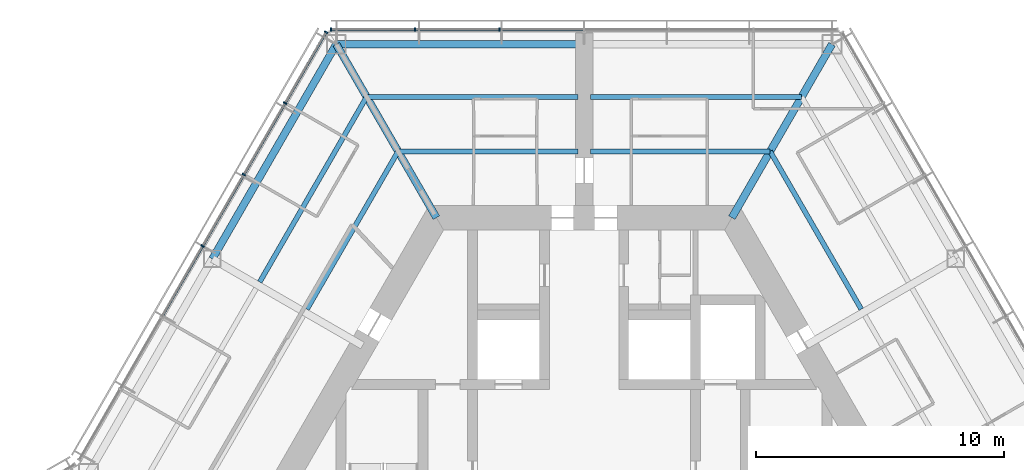
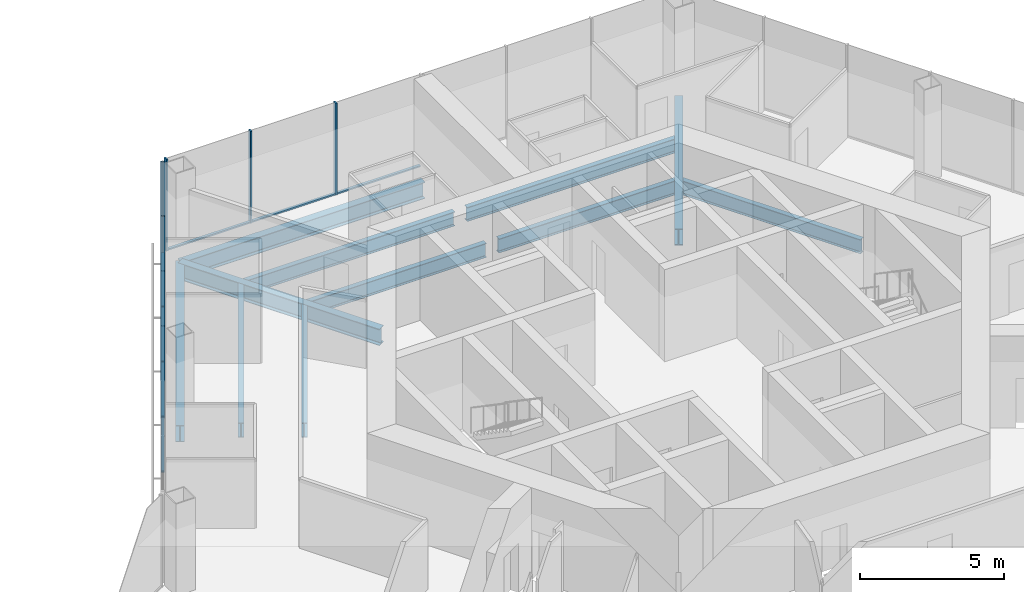
# One storey, part 7 of 18: 14 members, 11 beams, 2 elements without a shape of their own.
"""IFC4 building model written with IfcOpenShell, lengths in metres."""

from ifc_helpers import new_model, si_unit, direction, frame, origin, origin_2d, place, context, subcontext, project, spatial, rectangle, i_section, extrude, material, material_profile, profile_set, type_object, element, aggregate, save


model = new_model("IFC4")

# Units and contexts
model_context = context("Model", 3, precision=1e-05, world=origin(), true_north=direction((0.0, 1.0)))
body_context = subcontext(model_context, "Body", "Model", "MODEL_VIEW")
ifc_project = project(units=[si_unit("LENGTHUNIT", "METRE"), si_unit("AREAUNIT", "SQUARE_METRE"), si_unit("VOLUMEUNIT", "CUBIC_METRE"), si_unit("PLANEANGLEUNIT", "RADIAN"), si_unit("MASSUNIT", "GRAM", prefix="KILO")], contexts=[model_context])

# Site, building, storey
site_placement = place(None, origin())
site = spatial("IfcSite", under=ifc_project, at=site_placement, CompositionType="ELEMENT")
building_placement = place(site_placement, origin())
building = spatial("IfcBuilding", under=site, at=building_placement, Name="Kasaneha Research Tower", CompositionType="ELEMENT")
storey_placement = place(building_placement, frame((0.0, 0.0, 152.60009765625)))
storey = spatial("IfcBuildingStorey", under=building, at=storey_placement, Name="L38", CompositionType="ELEMENT", Elevation=152.60009765625)

# Beams
ifc_material_1 = material(Name="Steel SN490B", Category="steel")
ifc_material_profile_1 = material_profile(ifc_material_1, i_section(OverallWidth=0.199951171875, OverallDepth=0.60009765625, WebThickness=0.010986328125, FlangeThickness=0.01708984375, FilletRadius=0.012939453125, at=origin_2d()), Name="H-600x200x11x17")
ifc_profile_set_1 = profile_set([ifc_material_profile_1], Name="Steel SN490B")
beam_type_1 = type_object("IfcBeamType", Name="B1-3 secondary beam H-600x200x11x17", PredefinedType="JOIST", material=ifc_profile_set_1)
beam_1_placement = place(storey_placement, frame((7.505615234375, 13.0, -0.4501953125), z_axis=(0.499994443168, -0.866028611999, 0.0), x_axis=(0.866028611999, 0.499994443168, 0.0)))
element("IfcBeam", 1, at=beam_1_placement, inside=storey, type_object=beam_type_1, Name="Secondary beam RS030R1 L38", PredefinedType="JOIST", context=body_context, shape_type="SweptSolid", body=[
    extrude(i_section(OverallWidth=0.199951171875, OverallDepth=0.60009765625, WebThickness=0.010986328125, FlangeThickness=0.01708984375, FilletRadius=0.012939453125, at=origin_2d()), origin(), (0.0, 0.0, 1.0), 7.35546875),
])
beam_2_placement = place(storey_placement, frame((7.505615234375, 13.0, -0.4501953125), z_axis=(-1.0, 0.0, 0.0), x_axis=(0.0, -1.0, 0.0)))
element("IfcBeam", 2, at=beam_2_placement, inside=storey, type_object=beam_type_1, Name="Secondary beam RS090L1 L38", PredefinedType="JOIST", context=body_context, shape_type="SweptSolid", body=[
    extrude(i_section(OverallWidth=0.199951171875, OverallDepth=0.60009765625, WebThickness=0.010986328125, FlangeThickness=0.01708984375, FilletRadius=0.012939453125, at=origin_2d()), origin(), (0.0, 0.0, 1.0), 7.255615234375),
])
beam_3_placement = place(storey_placement, frame((8.775634765625, 15.199951171875, -0.4501953125), z_axis=(-1.0, 0.0, 0.0), x_axis=(0.0, -1.0, 0.0)))
element("IfcBeam", 3, at=beam_3_placement, inside=storey, type_object=beam_type_1, Name="Secondary beam RS090L2 L38", PredefinedType="JOIST", context=body_context, shape_type="SweptSolid", body=[
    extrude(i_section(OverallWidth=0.199951171875, OverallDepth=0.60009765625, WebThickness=0.010986328125, FlangeThickness=0.01708984375, FilletRadius=0.012939453125, at=origin_2d()), origin(), (0.0, 0.0, 1.0), 8.525634765625),
])
beam_4_placement = place(storey_placement, frame((-7.505615234375, 13.0, -0.4501953125), z_axis=(1.0, 0.0, 0.0), x_axis=(0.0, 1.0, 0.0)))
element("IfcBeam", 4, at=beam_4_placement, inside=storey, type_object=beam_type_1, Name="Secondary beam RS090R1 L38", PredefinedType="JOIST", context=body_context, shape_type="SweptSolid", body=[
    extrude(i_section(OverallWidth=0.199951171875, OverallDepth=0.60009765625, WebThickness=0.010986328125, FlangeThickness=0.01708984375, FilletRadius=0.012939453125, at=origin_2d()), origin(), (0.0, 0.0, 1.0), 7.255615234375),
])
beam_5_placement = place(storey_placement, frame((-8.775634765625, 15.199951171875, -0.4501953125), z_axis=(1.0, 0.0, 0.0), x_axis=(0.0, 1.0, 0.0)))
element("IfcBeam", 5, at=beam_5_placement, inside=storey, type_object=beam_type_1, Name="Secondary beam RS090R2 L38", PredefinedType="JOIST", context=body_context, shape_type="SweptSolid", body=[
    extrude(i_section(OverallWidth=0.199951171875, OverallDepth=0.60009765625, WebThickness=0.010986328125, FlangeThickness=0.01708984375, FilletRadius=0.012939453125, at=origin_2d()), origin(), (0.0, 0.0, 1.0), 8.525634765625),
])
beam_6_placement = place(storey_placement, frame((-7.505615234375, 13.0, -0.4501953125), z_axis=(-0.499994443168, -0.866028611999, 0.0), x_axis=(0.866028611999, -0.499994443168, 0.0)))
element("IfcBeam", 6, at=beam_6_placement, inside=storey, type_object=beam_type_1, Name="Secondary beam RS150L1 L38", PredefinedType="JOIST", context=body_context, shape_type="SweptSolid", body=[
    extrude(i_section(OverallWidth=0.199951171875, OverallDepth=0.60009765625, WebThickness=0.010986328125, FlangeThickness=0.01708984375, FilletRadius=0.012939453125, at=origin_2d()), origin(), (0.0, 0.0, 1.0), 7.35546875),
])
beam_7_placement = place(storey_placement, frame((-8.775634765625, 15.199951171875, -0.4501953125), z_axis=(-0.500017275495, -0.866015429543, 0.0), x_axis=(0.866015429543, -0.500017275495, 0.0)))
element("IfcBeam", 7, at=beam_7_placement, inside=storey, type_object=beam_type_1, Name="Secondary beam RS150L2 L38", PredefinedType="JOIST", context=body_context, shape_type="SweptSolid", body=[
    extrude(i_section(OverallWidth=0.199951171875, OverallDepth=0.60009765625, WebThickness=0.010986328125, FlangeThickness=0.01708984375, FilletRadius=0.012939453125, at=origin_2d()), origin(), (0.0, 0.0, 1.0), 8.625732421875),
])

# Curtain wall, members
ifc_material_2 = material(Name="Glass and aluminium", Category="aluminium")
curtain_wall_type = type_object("IfcCurtainWallType", Name="Mid-rise office curtain wall", PredefinedType="USERDEFINED", material=ifc_material_2)
curtain_wall_1_placement = place(storey_placement, origin())
curtain_wall_1 = element("IfcCurtainWall", 8, at=curtain_wall_1_placement, inside=storey, type_object=curtain_wall_type, Name="CW-O2 L38 run 07a", ObjectType="UNITISED CURTAIN WALL", PredefinedType="USERDEFINED")
ifc_material_3 = material(Name="Aluminium 6063-T6", Category="aluminium")
ifc_material_profile_2 = material_profile(ifc_material_3, rectangle(XDim=0.06005859375, YDim=0.14990234375, at=origin_2d()), Name="CW-O2 mullion 60x150")
ifc_profile_set_2 = profile_set([ifc_material_profile_2], Name="Aluminium 6063-T6")
member_type_1 = type_object("IfcMemberType", Name="CW-O2 mullion", PredefinedType="MULLION", material=ifc_profile_set_2)
member_1_placement = place(storey_placement, frame((-3.41552734375, 17.92041015625, 0.0), z_axis=(0.0, 0.0, 1.0), x_axis=(-1.0, 0.0, 0.0)))
member_1 = element("IfcMember", 9, at=member_1_placement, type_object=member_type_1, Name="CW-O2 mullion 5", PredefinedType="MULLION", context=body_context, shape_type="SweptSolid", body=[
    extrude(rectangle(XDim=0.06005859375, YDim=0.14990234375, at=origin_2d()), origin(), (0.0, 0.0, 1.0), 3.89990234375),
])
member_2_placement = place(storey_placement, frame((-6.8310546875, 17.92041015625, 0.0), z_axis=(0.0, 0.0, 1.0), x_axis=(-1.0, 0.0, 0.0)))
member_2 = element("IfcMember", 10, at=member_2_placement, type_object=member_type_1, Name="CW-O2 mullion 6", PredefinedType="MULLION", context=body_context, shape_type="SweptSolid", body=[
    extrude(rectangle(XDim=0.06005859375, YDim=0.14990234375, at=origin_2d()), origin(), (0.0, 0.0, 1.0), 3.89990234375),
])
member_3_placement = place(storey_placement, frame((-10.21630859375, 17.92041015625, 0.0), z_axis=(0.0, 0.0, 1.0), x_axis=(-1.0, 0.0, 0.0)))
member_3 = element("IfcMember", 11, at=member_3_placement, type_object=member_type_1, Name="CW-O2 mullion 7", PredefinedType="MULLION", context=body_context, shape_type="SweptSolid", body=[
    extrude(rectangle(XDim=0.06005859375, YDim=0.14990234375, at=origin_2d()), origin(), (0.0, 0.0, 1.0), 3.89990234375),
])

curtain_wall_2_placement = place(storey_placement, origin())
curtain_wall_2 = element("IfcCurtainWall", 12, at=curtain_wall_2_placement, inside=storey, type_object=curtain_wall_type, Name="CW-O2 L38 run 08a", ObjectType="UNITISED CURTAIN WALL", PredefinedType="USERDEFINED")
member_4_placement = place(storey_placement, frame((-10.411376953125, 17.807861328125, 0.0), z_axis=(0.0, 0.0, 1.0), x_axis=(-0.499999979232, -0.866025415775, 0.0)))
member_4 = element("IfcMember", 13, at=member_4_placement, type_object=member_type_1, Name="CW-O2 mullion 1", PredefinedType="MULLION", context=body_context, shape_type="SweptSolid", body=[
    extrude(rectangle(XDim=0.06005859375, YDim=0.14990234375, at=origin_2d()), origin(), (0.0, 0.0, 1.0), 3.89990234375),
])
member_5_placement = place(storey_placement, frame((-12.061767578125, 14.94921875, 0.0), z_axis=(0.0, 0.0, 1.0), x_axis=(-0.499999979232, -0.866025415775, 0.0)))
member_5 = element("IfcMember", 14, at=member_5_placement, type_object=member_type_1, Name="CW-O2 mullion 2", PredefinedType="MULLION", context=body_context, shape_type="SweptSolid", body=[
    extrude(rectangle(XDim=0.06005859375, YDim=0.14990234375, at=origin_2d()), origin(), (0.0, 0.0, 1.0), 3.89990234375),
])
member_6_placement = place(storey_placement, frame((-13.727294921875, 12.064453125, 0.0), z_axis=(0.0, 0.0, 1.0), x_axis=(-0.499999979232, -0.866025415775, 0.0)))
member_6 = element("IfcMember", 15, at=member_6_placement, type_object=member_type_1, Name="CW-O2 mullion 3", PredefinedType="MULLION", context=body_context, shape_type="SweptSolid", body=[
    extrude(rectangle(XDim=0.06005859375, YDim=0.14990234375, at=origin_2d()), origin(), (0.0, 0.0, 1.0), 3.89990234375),
])
member_7_placement = place(storey_placement, frame((-15.392822265625, 9.179931640625, 0.0), z_axis=(0.0, 0.0, 1.0), x_axis=(-0.499999979232, -0.866025415775, 0.0)))
member_7 = element("IfcMember", 16, at=member_7_placement, type_object=member_type_1, Name="CW-O2 mullion 4", PredefinedType="MULLION", context=body_context, shape_type="SweptSolid", body=[
    extrude(rectangle(XDim=0.06005859375, YDim=0.14990234375, at=origin_2d()), origin(), (0.0, 0.0, 1.0), 3.89990234375),
])

# Member
ifc_material_4 = material(Name="Aluminium 6063-T6", Category="aluminium")
ifc_material_profile_3 = material_profile(ifc_material_4, rectangle(XDim=0.110107421875, YDim=0.06005859375, at=origin_2d()), Name="CW-O2 transom 110x60")
ifc_profile_set_3 = profile_set([ifc_material_profile_3], Name="Aluminium 6063-T6")
member_type_2 = type_object("IfcMemberType", Name="CW-O2 transom", PredefinedType="USERDEFINED", material=ifc_profile_set_3)
member_8_placement = place(storey_placement, frame((-0.030029296875, 17.92041015625, 0.02978515625), z_axis=(-1.0, 0.0, 0.0), x_axis=(0.0, -1.0, 0.0)))
member_8 = element("IfcMember", 17, at=member_8_placement, type_object=member_type_2, Name="CW-O2 transom 4", ObjectType="TRANSOM", PredefinedType="USERDEFINED", context=body_context, shape_type="SweptSolid", body=[
    extrude(rectangle(XDim=0.110107421875, YDim=0.06005859375, at=origin_2d()), origin(), (0.0, 0.0, 1.0), 3.35546875),
])

member_9_placement = place(storey_placement, frame((-3.445556640625, 17.92041015625, 0.02978515625), z_axis=(-1.0, 0.0, 0.0), x_axis=(0.0, -1.0, 0.0)))
member_9 = element("IfcMember", 18, at=member_9_placement, type_object=member_type_2, Name="CW-O2 transom 5", ObjectType="TRANSOM", PredefinedType="USERDEFINED", context=body_context, shape_type="SweptSolid", body=[
    extrude(rectangle(XDim=0.110107421875, YDim=0.06005859375, at=origin_2d()), origin(), (0.0, 0.0, 1.0), 3.35546875),
])

member_10_placement = place(storey_placement, frame((-6.86083984375, 17.92041015625, 0.02978515625), z_axis=(-1.0, 0.0, 0.0), x_axis=(0.0, -1.0, 0.0)))
member_10 = element("IfcMember", 19, at=member_10_placement, type_object=member_type_2, Name="CW-O2 transom 6", ObjectType="TRANSOM", PredefinedType="USERDEFINED", context=body_context, shape_type="SweptSolid", body=[
    extrude(rectangle(XDim=0.110107421875, YDim=0.06005859375, at=origin_2d()), origin(), (0.0, 0.0, 1.0), 3.32568359375),
])

aggregate(curtain_wall_1, [member_1, member_2, member_3, member_8, member_9, member_10])

member_11_placement = place(storey_placement, frame((-10.426513671875, 17.781982421875, 0.02978515625), z_axis=(-0.499955025697, -0.866051368154, 0.0), x_axis=(0.866051368154, -0.499955025697, 0.0)))
member_11 = element("IfcMember", 20, at=member_11_placement, type_object=member_type_2, Name="CW-O2 transom 1", ObjectType="TRANSOM", PredefinedType="USERDEFINED", context=body_context, shape_type="SweptSolid", body=[
    extrude(rectangle(XDim=0.110107421875, YDim=0.06005859375, at=origin_2d()), origin(), (0.0, 0.0, 1.0), 3.240966796875),
])

member_12_placement = place(storey_placement, frame((-12.076904296875, 14.92333984375, 0.02978515625), z_axis=(-0.500000270186, -0.866025247793, 0.0), x_axis=(0.866025247793, -0.500000270186, 0.0)))
member_12 = element("IfcMember", 21, at=member_12_placement, type_object=member_type_2, Name="CW-O2 transom 2", ObjectType="TRANSOM", PredefinedType="USERDEFINED", context=body_context, shape_type="SweptSolid", body=[
    extrude(rectangle(XDim=0.110107421875, YDim=0.06005859375, at=origin_2d()), origin(), (0.0, 0.0, 1.0), 3.27099609375),
])

member_13_placement = place(storey_placement, frame((-13.742431640625, 12.03857421875, 0.02978515625), z_axis=(-0.500000270186, -0.866025247793, 0.0), x_axis=(0.866025247793, -0.500000270186, 0.0)))
member_13 = element("IfcMember", 22, at=member_13_placement, type_object=member_type_2, Name="CW-O2 transom 3", ObjectType="TRANSOM", PredefinedType="USERDEFINED", context=body_context, shape_type="SweptSolid", body=[
    extrude(rectangle(XDim=0.110107421875, YDim=0.06005859375, at=origin_2d()), origin(), (0.0, 0.0, 1.0), 3.27099609375),
])

member_14_placement = place(storey_placement, frame((-15.40771484375, 9.15380859375, 0.02978515625), z_axis=(-0.50003259116, -0.866006586452, 0.0), x_axis=(0.866006586452, -0.50003259116, 0.0)))
member_14 = element("IfcMember", 23, at=member_14_placement, type_object=member_type_2, Name="CW-O2 transom 4", ObjectType="TRANSOM", PredefinedType="USERDEFINED", context=body_context, shape_type="SweptSolid", body=[
    extrude(rectangle(XDim=0.110107421875, YDim=0.06005859375, at=origin_2d()), origin(), (0.0, 0.0, 1.0), 3.270751953125),
])

aggregate(curtain_wall_2, [member_4, member_5, member_6, member_7, member_11, member_12, member_13, member_14])

# Beams
ifc_material_5 = material(Name="Steel SN490B", Category="steel")
ifc_material_profile_4 = material_profile(ifc_material_5, i_section(OverallWidth=0.300048828125, OverallDepth=0.699951171875, WebThickness=0.012939453125, FlangeThickness=0.02392578125, FilletRadius=0.01806640625, at=origin_2d()), Name="H-700x300x13x24")
ifc_profile_set_4 = profile_set([ifc_material_profile_4], Name="Steel SN490B")
beam_type_2 = type_object("IfcBeamType", Name="G1-3 radial girder H-700x300x13x24", PredefinedType="BEAM", material=ifc_profile_set_4)
for number, where, z_axis, x_axis, name in (
    (24, (5.961181640625, 10.324951171875, -0.5), (0.49999105496, 0.866030568144, 0.0), (-0.866030568144, 0.49999105496, 0.0), "Radial girder RV060 L38"),
    (25, (-5.961181640625, 10.324951171875, -0.5), (-0.49999105496, 0.866030568144, 0.0), (-0.866030568144, -0.49999105496, 0.0), "Radial girder RV120 L38"),
):
    element("IfcBeam", number, at=place(storey_placement, frame(where, z_axis=z_axis, x_axis=x_axis)), inside=storey, type_object=beam_type_2, Name=name, PredefinedType="BEAM", context=body_context, shape_type="SweptSolid", body=[
        extrude(i_section(OverallWidth=0.300048828125, OverallDepth=0.699951171875, WebThickness=0.012939453125, FlangeThickness=0.02392578125, FilletRadius=0.01806640625, at=origin_2d()), origin(), (0.0, 0.0, 1.0), 8.077880859375),
    ])
ifc_material_6 = material(Name="Steel SN490B", Category="steel")
ifc_material_profile_5 = material_profile(ifc_material_6, i_section(OverallWidth=0.300048828125, OverallDepth=0.69189453125, WebThickness=0.012939453125, FlangeThickness=0.02001953125, FilletRadius=0.01806640625, at=origin_2d()), Name="H-692x300x13x20")
ifc_profile_set_5 = profile_set([ifc_material_profile_5], Name="Steel SN490B")
beam_type_3 = type_object("IfcBeamType", Name="G3-3 plate edge girder H-692x300x13x20", PredefinedType="BEAM", material=ifc_profile_set_5)
beam_8_placement = place(storey_placement, frame((-10.0, 17.320556640625, -0.49609375), z_axis=(1.0, 0.0, 0.0), x_axis=(0.0, 1.0, 0.0)))
element("IfcBeam", 26, at=beam_8_placement, inside=storey, type_object=beam_type_3, Name="Plate edge girder PEAN L38", PredefinedType="BEAM", context=body_context, shape_type="SweptSolid", body=[
    extrude(i_section(OverallWidth=0.300048828125, OverallDepth=0.69189453125, WebThickness=0.012939453125, FlangeThickness=0.02001953125, FilletRadius=0.01806640625, at=origin_2d()), origin(), (0.0, 0.0, 1.0), 9.75),
])
ifc_material_7 = material(Name="Steel SN490B", Category="steel")
ifc_material_profile_6 = material_profile(ifc_material_7, i_section(OverallWidth=0.300048828125, OverallDepth=0.69189453125, WebThickness=0.012939453125, FlangeThickness=0.02001953125, FilletRadius=0.01806640625, at=origin_2d()), Name="H-692x300x13x20")
ifc_profile_set_6 = profile_set([ifc_material_profile_6], Name="Steel SN490B")
beam_type_4 = type_object("IfcBeamType", Name="SB1-3 spandrel beam H-692x300x13x20", PredefinedType="SPANDREL", material=ifc_profile_set_6)
beam_9_placement = place(storey_placement, frame((-10.0, 17.320556640625, -0.49609375), z_axis=(-0.499993662806, -0.866029062534, 0.0), x_axis=(0.866029062534, -0.499993662806, 0.0)))
element("IfcBeam", 27, at=beam_9_placement, inside=storey, type_object=beam_type_4, Name="Spandrel beam SR150L L38", PredefinedType="SPANDREL", context=body_context, shape_type="SweptSolid", body=[
    extrude(i_section(OverallWidth=0.300048828125, OverallDepth=0.69189453125, WebThickness=0.012939453125, FlangeThickness=0.02001953125, FilletRadius=0.01806640625, at=origin_2d()), origin(), (0.0, 0.0, 1.0), 10.000244140625),
])

save(model, "model.ifc")
